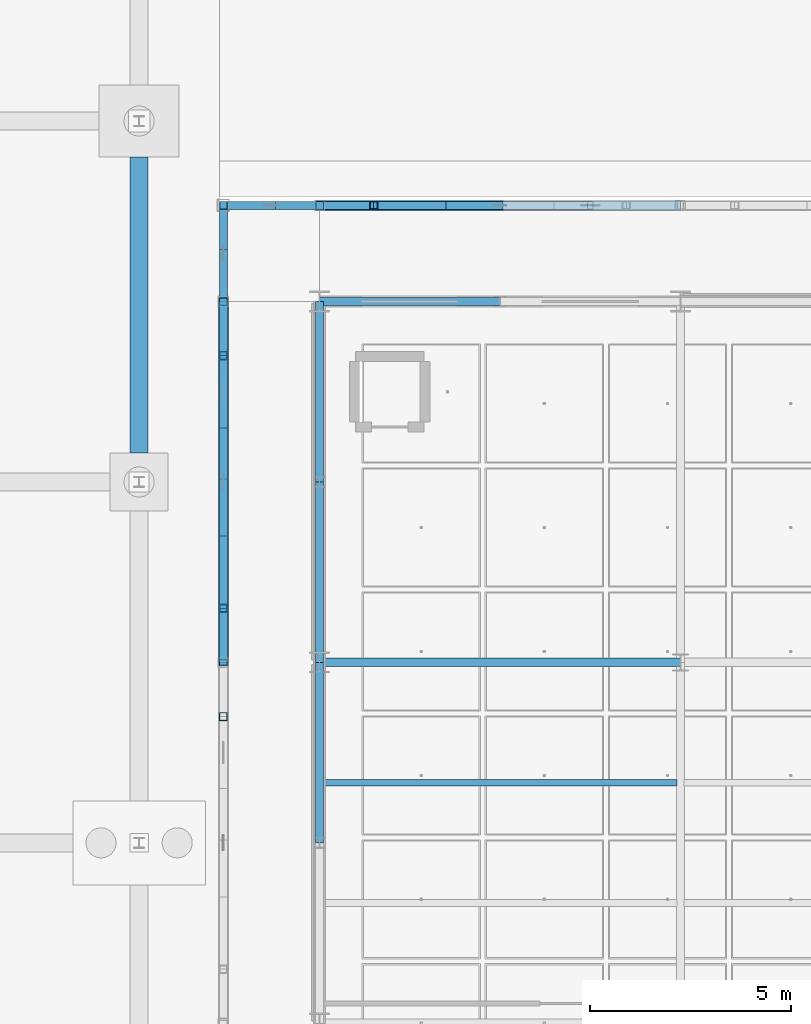
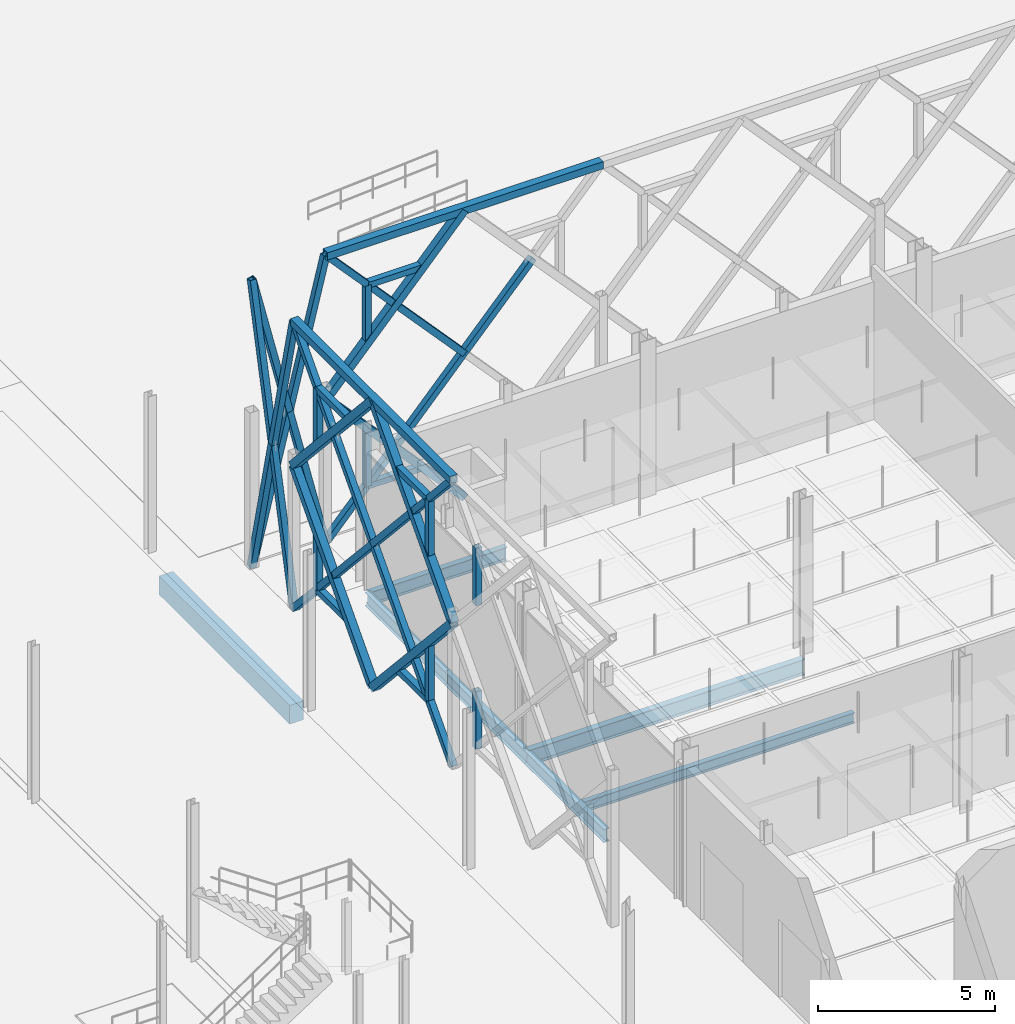
# One storey, part 33 of 180: 39 members, 7 beams.
"""IFC4 building model written with IfcOpenShell, lengths in metres."""

from ifc_helpers import new_model, si_unit, direction, frame, origin, origin_2d, place, context, subcontext, project, spatial, rectangle, hollow_rectangle, i_section, extrude, material, material_profile, profile_set, type_object, element, save


model = new_model("IFC4")

# Units and contexts
model_context = context("Model", 3, precision=1e-05, world=origin(), true_north=direction((0.0, 1.0)))
body_context = subcontext(model_context, "Body", "Model", "MODEL_VIEW")
ifc_project = project(units=[si_unit("LENGTHUNIT", "METRE"), si_unit("AREAUNIT", "SQUARE_METRE"), si_unit("VOLUMEUNIT", "CUBIC_METRE"), si_unit("PLANEANGLEUNIT", "RADIAN"), si_unit("MASSUNIT", "GRAM", prefix="KILO"), si_unit("THERMODYNAMICTEMPERATUREUNIT", "KELVIN"), si_unit("POWERUNIT", "WATT")], contexts=[model_context])

# Site, building, storey
site_placement = place(None, origin())
site = spatial("IfcSite", under=ifc_project, at=site_placement, CompositionType="ELEMENT")
building_placement = place(site_placement, origin())
building = spatial("IfcBuilding", under=site, at=building_placement, Name="Tallowbark Science Centre", CompositionType="ELEMENT")
storey_placement = place(building_placement, origin())
storey = spatial("IfcBuildingStorey", under=building, at=storey_placement, Name="L00", CompositionType="ELEMENT", Elevation=0.0)

# Beams
ifc_material_1 = material(Name="Concrete Grade N40 (40 MPa)", Category="concrete")
ifc_material_profile_1 = material_profile(ifc_material_1, rectangle(XDim=0.449951171875, YDim=0.64990234375, at=origin_2d()), Name="RC450x650")
ifc_profile_set_1 = profile_set([ifc_material_profile_1], Name="Concrete Grade N40 (40 MPa)")
beam_type_1 = type_object("IfcBeamType", Name="BM-GB2-N40", PredefinedType="BEAM", material=ifc_profile_set_1)
beam_1_placement = place(storey_placement, frame((54.0, 36.72509765625, -0.5849609375), z_axis=(0.0, 1.0, 0.0), x_axis=(-1.0, 0.0, 0.0)))
element("IfcBeam", 1, at=beam_1_placement, inside=storey, type_object=beam_type_1, Name="Ground Tie Beam GBT-Y-319", PredefinedType="BEAM", context=body_context, shape_type="SweptSolid", body=[
    extrude(rectangle(XDim=0.449951171875, YDim=0.64990234375, at=origin_2d()), origin(), (0.0, 0.0, 1.0), 7.375),
])
ifc_material_2 = material(Name="Structural Steel Grade 300PLUS (300 MPa)", Category="steel")
ifc_material_profile_2 = material_profile(ifc_material_2, i_section(OverallWidth=0.208984375, OverallDepth=0.532958984375, WebThickness=0.01025390625, FlangeThickness=0.015625, FilletRadius=0.013916015625, at=origin_2d()), Name="530UB92.4")
ifc_profile_set_2 = profile_set([ifc_material_profile_2], Name="Structural Steel Grade 300PLUS (300 MPa)")
beam_type_2 = type_object("IfcBeamType", Name="BM-UB530A", PredefinedType="BEAM", material=ifc_profile_set_2)
beam_2_placement = place(storey_placement, frame((58.5, 31.5, -0.506591796875), z_axis=(1.0, 0.0, 0.0), x_axis=(0.0, 1.0, 0.0)))
element("IfcBeam", 2, at=beam_2_placement, inside=storey, type_object=beam_type_2, Name="Primary Girder GRDX-L00-585-675-315", PredefinedType="BEAM", context=body_context, shape_type="SweptSolid", body=[
    extrude(i_section(OverallWidth=0.208984375, OverallDepth=0.532958984375, WebThickness=0.01025390625, FlangeThickness=0.015625, FilletRadius=0.013916015625, at=origin_2d()), origin(), (0.0, 0.0, 1.0), 9.0),
])
ifc_material_profile_3 = material_profile(ifc_material_2, i_section(OverallWidth=0.172119140625, OverallDepth=0.358642578125, WebThickness=0.008056640625, FlangeThickness=0.012939453125, FilletRadius=0.011474609375, at=origin_2d()), Name="360UB56.7")
ifc_profile_set_3 = profile_set([ifc_material_profile_3], Name="Structural Steel Grade 300PLUS (300 MPa)")
beam_type_3 = type_object("IfcBeamType", Name="JST-UB360", PredefinedType="JOIST", material=ifc_profile_set_3)
beam_3_placement = place(storey_placement, frame((58.5849609375, 28.5, -0.419189453125), z_axis=(1.0, 0.0, 0.0), x_axis=(0.0, 1.0, 0.0)))
element("IfcBeam", 3, at=beam_3_placement, inside=storey, type_object=beam_type_3, Name="Composite Floor Joist JSTX-L00-585-285", PredefinedType="JOIST", context=body_context, shape_type="SweptSolid", body=[
    extrude(i_section(OverallWidth=0.172119140625, OverallDepth=0.358642578125, WebThickness=0.008056640625, FlangeThickness=0.012939453125, FilletRadius=0.011474609375, at=origin_2d()), origin(), (0.0, 0.0, 1.0), 8.830078125),
])

# Members
ifc_material_3 = material(Name="White Architectural Painted Steel Grade C350L0 (350 MPa)", Category="steel")
ifc_material_profile_4 = material_profile(ifc_material_3, hollow_rectangle(XDim=0.25, YDim=0.25, WallThickness=0.009033203125, at=origin_2d()), Name="250x250x9.0SHS")
ifc_profile_set_4 = profile_set([ifc_material_profile_4], Name="White Architectural Painted Steel Grade C350L0 (350 MPa)")
member_type_1 = type_object("IfcMemberType", Name="SCR-CHD200", PredefinedType="CHORD", material=ifc_profile_set_4)
member_1_placement = place(storey_placement, frame((58.5, 42.89990234375, 9.89990234375), z_axis=(1.0, 0.0, 0.0), x_axis=(0.0, 1.0, 0.0)))
element("IfcMember", 4, at=member_1_placement, inside=storey, type_object=member_type_1, Name="Star Screen Frame Chord N-2", PredefinedType="CHORD", context=body_context, shape_type="SweptSolid", body=[
    extrude(hollow_rectangle(XDim=0.25, YDim=0.25, WallThickness=0.009033203125, at=origin_2d()), origin(), (0.0, 0.0, 1.0), 9.0),
])
for number, where, z_axis, x_axis, name in (
    (5, (63.0, 42.89990234375, 9.89990234375), (-0.672676426978, 0.0, -0.739936770669), (0.0, -1.0, 0.0), "Star Screen Octagram Diamond Chord N-2-3"),
    (6, (58.5, 42.89990234375, 4.949951171875), (0.672676426978, 0.0, -0.739936770669), (0.0, 1.0, 0.0), "Star Screen Octagram Diamond Chord N-2-4"),
):
    element("IfcMember", number, at=place(storey_placement, frame(where, z_axis=z_axis, x_axis=x_axis)), inside=storey, type_object=member_type_1, Name=name, PredefinedType="CHORD", context=body_context, shape_type="SweptSolid", body=[
        extrude(hollow_rectangle(XDim=0.25, YDim=0.25, WallThickness=0.009033203125, at=origin_2d()), origin(), (0.0, 0.0, 1.0), 6.689697265625),
    ])
member_2_placement = place(storey_placement, frame((56.10009765625, 31.5, 9.89990234375), z_axis=(0.0, 1.0, 0.0), x_axis=(-1.0, 0.0, 0.0)))
element("IfcMember", 7, at=member_2_placement, inside=storey, type_object=member_type_1, Name="Star Screen Frame Chord W-15", PredefinedType="CHORD", context=body_context, shape_type="SweptSolid", body=[
    extrude(hollow_rectangle(XDim=0.25, YDim=0.25, WallThickness=0.009033203125, at=origin_2d()), origin(), (0.0, 0.0, 1.0), 9.0),
])
for number, where, z_axis, x_axis, name in (
    (8, (56.10009765625, 36.0, 0.0), (0.0, 0.672676426978, 0.739936770669), (-1.0, 0.0, 0.0), "Star Screen Octagram Diamond Chord W-15-1"),
    (9, (56.10009765625, 40.5, 4.949951171875), (0.0, -0.672676426978, 0.739936770669), (1.0, 0.0, 0.0), "Star Screen Octagram Diamond Chord W-15-2"),
    (10, (56.10009765625, 36.0, 9.89990234375), (0.0, -0.672676426978, -0.739936770669), (1.0, 0.0, 0.0), "Star Screen Octagram Diamond Chord W-15-3"),
    (11, (56.10009765625, 31.5, 4.949951171875), (0.0, 0.672676426978, -0.739936770669), (-1.0, 0.0, 0.0), "Star Screen Octagram Diamond Chord W-15-4"),
):
    element("IfcMember", number, at=place(storey_placement, frame(where, z_axis=z_axis, x_axis=x_axis)), inside=storey, type_object=member_type_1, Name=name, PredefinedType="CHORD", context=body_context, shape_type="SweptSolid", body=[
        extrude(hollow_rectangle(XDim=0.25, YDim=0.25, WallThickness=0.009033203125, at=origin_2d()), origin(), (0.0, 0.0, 1.0), 6.689697265625),
    ])
ifc_material_profile_5 = material_profile(ifc_material_3, hollow_rectangle(XDim=0.199951171875, YDim=0.199951171875, WallThickness=0.009033203125, at=origin_2d()), Name="200x200x9.0SHS")
ifc_profile_set_5 = profile_set([ifc_material_profile_5], Name="White Architectural Painted Steel Grade C350L0 (350 MPa)")
member_type_2 = type_object("IfcMemberType", Name="SCR-STAR139", PredefinedType="BRACE", material=ifc_profile_set_5)
member_3_placement = place(storey_placement, frame((58.5, 42.89990234375, 0.0), z_axis=(0.672658262301, 0.0, 0.739953283768), x_axis=(0.0, 1.0, 0.0)))
element("IfcMember", 12, at=member_3_placement, inside=storey, type_object=member_type_2, Name="Star Screen Continuous X-Diagonal D1A N-2", PredefinedType="BRACE", context=body_context, shape_type="SweptSolid", body=[
    extrude(hollow_rectangle(XDim=0.199951171875, YDim=0.199951171875, WallThickness=0.009033203125, at=origin_2d()), origin(), (0.0, 0.0, 1.0), 3.344970703125),
])
member_4_placement = place(storey_placement, frame((60.75, 42.89990234375, 2.47509765625), z_axis=(0.672676426978, 0.0, 0.739936770669), x_axis=(0.0, 1.0, 0.0)))
element("IfcMember", 13, at=member_4_placement, inside=storey, type_object=member_type_2, Name="Star Screen Continuous X-Diagonal D1M N-2", PredefinedType="BRACE", context=body_context, shape_type="SweptSolid", body=[
    extrude(hollow_rectangle(XDim=0.199951171875, YDim=0.199951171875, WallThickness=0.009033203125, at=origin_2d()), origin(), (0.0, 0.0, 1.0), 6.689697265625),
])
member_5_placement = place(storey_placement, frame((58.5, 42.89990234375, 9.89990234375), z_axis=(0.672694592231, 0.0, -0.739920256233), x_axis=(0.0, 1.0, 0.0)))
element("IfcMember", 14, at=member_5_placement, inside=storey, type_object=member_type_2, Name="Star Screen Split X-Diagonal D2A N-2", PredefinedType="BRACE", context=body_context, shape_type="SweptSolid", body=[
    extrude(hollow_rectangle(XDim=0.199951171875, YDim=0.199951171875, WallThickness=0.009033203125, at=origin_2d()), origin(), (0.0, 0.0, 1.0), 3.3447265625),
])
for number, where, z_axis, x_axis, name in (
    (15, (60.75, 42.89990234375, 7.425048828125), (0.672658262301, 0.0, -0.739953283768), (0.0, 1.0, 0.0), "Star Screen Split X-Diagonal D2B N-2"),
    (16, (56.10009765625, 31.5, 0.0), (0.0, 0.672658262301, 0.739953283768), (-1.0, 0.0, 0.0), "Star Screen Continuous X-Diagonal D1A W-15"),
):
    element("IfcMember", number, at=place(storey_placement, frame(where, z_axis=z_axis, x_axis=x_axis)), inside=storey, type_object=member_type_2, Name=name, PredefinedType="BRACE", context=body_context, shape_type="SweptSolid", body=[
        extrude(hollow_rectangle(XDim=0.199951171875, YDim=0.199951171875, WallThickness=0.009033203125, at=origin_2d()), origin(), (0.0, 0.0, 1.0), 3.344970703125),
    ])
member_6_placement = place(storey_placement, frame((56.10009765625, 33.75, 2.47509765625), z_axis=(0.0, 0.672676426978, 0.739936770669), x_axis=(-1.0, 0.0, 0.0)))
element("IfcMember", 17, at=member_6_placement, inside=storey, type_object=member_type_2, Name="Star Screen Continuous X-Diagonal D1M W-15", PredefinedType="BRACE", context=body_context, shape_type="SweptSolid", body=[
    extrude(hollow_rectangle(XDim=0.199951171875, YDim=0.199951171875, WallThickness=0.009033203125, at=origin_2d()), origin(), (0.0, 0.0, 1.0), 6.689697265625),
])
for number, where, z_axis, x_axis, name in (
    (18, (56.10009765625, 38.25, 7.425048828125), (0.0, 0.672694592231, 0.739920256233), (-1.0, 0.0, 0.0), "Star Screen Continuous X-Diagonal D1B W-15"),
    (19, (56.10009765625, 31.5, 9.89990234375), (0.0, 0.672694592231, -0.739920256233), (-1.0, 0.0, 0.0), "Star Screen Split X-Diagonal D2A W-15"),
):
    element("IfcMember", number, at=place(storey_placement, frame(where, z_axis=z_axis, x_axis=x_axis)), inside=storey, type_object=member_type_2, Name=name, PredefinedType="BRACE", context=body_context, shape_type="SweptSolid", body=[
        extrude(hollow_rectangle(XDim=0.199951171875, YDim=0.199951171875, WallThickness=0.009033203125, at=origin_2d()), origin(), (0.0, 0.0, 1.0), 3.3447265625),
    ])
member_7_placement = place(storey_placement, frame((56.10009765625, 33.75, 7.425048828125), z_axis=(0.0, 0.672658262301, -0.739953283768), x_axis=(-1.0, 0.0, 0.0)))
element("IfcMember", 20, at=member_7_placement, inside=storey, type_object=member_type_2, Name="Star Screen Split X-Diagonal D2B W-15", PredefinedType="BRACE", context=body_context, shape_type="SweptSolid", body=[
    extrude(hollow_rectangle(XDim=0.199951171875, YDim=0.199951171875, WallThickness=0.009033203125, at=origin_2d()), origin(), (0.0, 0.0, 1.0), 3.344970703125),
])
member_8_placement = place(storey_placement, frame((56.10009765625, 36.0, 4.949951171875), z_axis=(0.0, 0.672694592231, -0.739920256233), x_axis=(-1.0, 0.0, 0.0)))
element("IfcMember", 21, at=member_8_placement, inside=storey, type_object=member_type_2, Name="Star Screen Split X-Diagonal D2C W-15", PredefinedType="BRACE", context=body_context, shape_type="SweptSolid", body=[
    extrude(hollow_rectangle(XDim=0.199951171875, YDim=0.199951171875, WallThickness=0.009033203125, at=origin_2d()), origin(), (0.0, 0.0, 1.0), 3.3447265625),
])
member_9_placement = place(storey_placement, frame((56.10009765625, 38.25, 2.47509765625), z_axis=(0.0, 0.672658262301, -0.739953283768), x_axis=(-1.0, 0.0, 0.0)))
element("IfcMember", 22, at=member_9_placement, inside=storey, type_object=member_type_2, Name="Star Screen Split X-Diagonal D2D W-15", PredefinedType="BRACE", context=body_context, shape_type="SweptSolid", body=[
    extrude(hollow_rectangle(XDim=0.199951171875, YDim=0.199951171875, WallThickness=0.009033203125, at=origin_2d()), origin(), (0.0, 0.0, 1.0), 3.344970703125),
])
member_10_placement = place(storey_placement, frame((56.10009765625, 42.89990234375, 0.0), z_axis=(0.235593166094, 0.0, 0.971851768579), x_axis=(0.0, 1.0, 0.0)))
element("IfcMember", 23, at=member_10_placement, inside=storey, type_object=member_type_2, Name="Star Screen Corner Continuous Diagonal NWX-L00", PredefinedType="BRACE", context=body_context, shape_type="SweptSolid", body=[
    extrude(hollow_rectangle(XDim=0.199951171875, YDim=0.199951171875, WallThickness=0.009033203125, at=origin_2d()), origin(), (0.0, 0.0, 1.0), 10.1865234375),
])
for number, where, z_axis, x_axis, name in (
    (24, (58.5, 42.89990234375, 0.0), (-0.235593166094, 0.0, 0.971851768579), (0.0, -1.0, 0.0), "Star Screen Corner Split Diagonal A NWX-L00"),
    (25, (57.300048828125, 42.89990234375, 4.949951171875), (-0.235593166094, 0.0, 0.971851768579), (0.0, -1.0, 0.0), "Star Screen Corner Split Diagonal B NWX-L00"),
):
    element("IfcMember", number, at=place(storey_placement, frame(where, z_axis=z_axis, x_axis=x_axis)), inside=storey, type_object=member_type_2, Name=name, PredefinedType="BRACE", context=body_context, shape_type="SweptSolid", body=[
        extrude(hollow_rectangle(XDim=0.199951171875, YDim=0.199951171875, WallThickness=0.009033203125, at=origin_2d()), origin(), (0.0, 0.0, 1.0), 5.09326171875),
    ])
member_11_placement = place(storey_placement, frame((56.10009765625, 40.5, 0.0), z_axis=(0.0, 0.235593166094, 0.971851768579), x_axis=(-1.0, 0.0, 0.0)))
element("IfcMember", 26, at=member_11_placement, inside=storey, type_object=member_type_2, Name="Star Screen Corner Continuous Diagonal NWY-L00", PredefinedType="BRACE", context=body_context, shape_type="SweptSolid", body=[
    extrude(hollow_rectangle(XDim=0.199951171875, YDim=0.199951171875, WallThickness=0.009033203125, at=origin_2d()), origin(), (0.0, 0.0, 1.0), 10.1865234375),
])
for number, where, z_axis, x_axis, name in (
    (27, (56.10009765625, 42.89990234375, 0.0), (0.0, -0.235593166094, 0.971851768579), (1.0, 0.0, 0.0), "Star Screen Corner Split Diagonal A NWY-L00"),
    (28, (56.10009765625, 41.699951171875, 4.949951171875), (0.0, -0.235593166094, 0.971851768579), (1.0, 0.0, 0.0), "Star Screen Corner Split Diagonal B NWY-L00"),
):
    element("IfcMember", number, at=place(storey_placement, frame(where, z_axis=z_axis, x_axis=x_axis)), inside=storey, type_object=member_type_2, Name=name, PredefinedType="BRACE", context=body_context, shape_type="SweptSolid", body=[
        extrude(hollow_rectangle(XDim=0.199951171875, YDim=0.199951171875, WallThickness=0.009033203125, at=origin_2d()), origin(), (0.0, 0.0, 1.0), 5.09326171875),
    ])
ifc_material_profile_6 = material_profile(ifc_material_3, hollow_rectangle(XDim=0.199951171875, YDim=0.199951171875, WallThickness=0.009033203125, at=origin_2d()), Name="200x200x9.0SHS")
ifc_profile_set_6 = profile_set([ifc_material_profile_6], Name="White Architectural Painted Steel Grade C350L0 (350 MPa)")
member_type_3 = type_object("IfcMemberType", Name="SCR-SUB150", PredefinedType="BRACE", material=ifc_profile_set_6)
member_12_placement = place(storey_placement, frame((59.85009765625, 42.89990234375, 1.485107421875), z_axis=(1.0, 0.0, 0.0), x_axis=(0.0, 1.0, 0.0)))
element("IfcMember", 29, at=member_12_placement, inside=storey, type_object=member_type_3, Name="Star Screen Octagram Point Ray N-2-1", PredefinedType="BRACE", context=body_context, shape_type="SweptSolid", body=[
    extrude(hollow_rectangle(XDim=0.199951171875, YDim=0.199951171875, WallThickness=0.009033203125, at=origin_2d()), origin(), (0.0, 0.0, 1.0), 1.7998046875),
])
member_13_placement = place(storey_placement, frame((59.85009765625, 42.89990234375, 1.485107421875), z_axis=(0.0, 0.0, 1.0), x_axis=(1.0, 0.0, 0.0)))
element("IfcMember", 30, at=member_13_placement, inside=storey, type_object=member_type_3, Name="Star Screen Octagram Point Ray N-2-2", PredefinedType="BRACE", context=body_context, shape_type="SweptSolid", body=[
    extrude(hollow_rectangle(XDim=0.199951171875, YDim=0.199951171875, WallThickness=0.009033203125, at=origin_2d()), origin(), (0.0, 0.0, 1.0), 1.97998046875),
])
member_14_placement = place(storey_placement, frame((59.85009765625, 42.89990234375, 8.4150390625), z_axis=(1.0, 0.0, 0.0), x_axis=(0.0, 1.0, 0.0)))
element("IfcMember", 31, at=member_14_placement, inside=storey, type_object=member_type_3, Name="Star Screen Octagram Point Ray N-2-7", PredefinedType="BRACE", context=body_context, shape_type="SweptSolid", body=[
    extrude(hollow_rectangle(XDim=0.199951171875, YDim=0.199951171875, WallThickness=0.009033203125, at=origin_2d()), origin(), (0.0, 0.0, 1.0), 1.7998046875),
])
for number, where, z_axis, x_axis, name in (
    (32, (59.85009765625, 42.89990234375, 8.4150390625), (0.0, 0.0, -1.0), (1.0, 0.0, 0.0), "Star Screen Octagram Point Ray N-2-8"),
    (33, (56.10009765625, 30.14990234375, 1.485107421875), (0.0, 0.0, 1.0), (1.0, 0.0, 0.0), "Star Screen Octagram Point Ray W-13-4"),
    (34, (56.10009765625, 30.14990234375, 8.4150390625), (0.0, 0.0, -1.0), (1.0, 0.0, 0.0), "Star Screen Octagram Point Ray W-13-6"),
):
    element("IfcMember", number, at=place(storey_placement, frame(where, z_axis=z_axis, x_axis=x_axis)), inside=storey, type_object=member_type_3, Name=name, PredefinedType="BRACE", context=body_context, shape_type="SweptSolid", body=[
        extrude(hollow_rectangle(XDim=0.199951171875, YDim=0.199951171875, WallThickness=0.009033203125, at=origin_2d()), origin(), (0.0, 0.0, 1.0), 1.97998046875),
    ])
member_15_placement = place(storey_placement, frame((56.10009765625, 32.85009765625, 1.485107421875), z_axis=(0.0, 1.0, 0.0), x_axis=(-1.0, 0.0, 0.0)))
element("IfcMember", 35, at=member_15_placement, inside=storey, type_object=member_type_3, Name="Star Screen Octagram Point Ray W-15-1", PredefinedType="BRACE", context=body_context, shape_type="SweptSolid", body=[
    extrude(hollow_rectangle(XDim=0.199951171875, YDim=0.199951171875, WallThickness=0.009033203125, at=origin_2d()), origin(), (0.0, 0.0, 1.0), 1.7998046875),
])
member_16_placement = place(storey_placement, frame((56.10009765625, 32.85009765625, 1.485107421875), z_axis=(0.0, 0.0, 1.0), x_axis=(1.0, 0.0, 0.0)))
element("IfcMember", 36, at=member_16_placement, inside=storey, type_object=member_type_3, Name="Star Screen Octagram Point Ray W-15-2", PredefinedType="BRACE", context=body_context, shape_type="SweptSolid", body=[
    extrude(hollow_rectangle(XDim=0.199951171875, YDim=0.199951171875, WallThickness=0.009033203125, at=origin_2d()), origin(), (0.0, 0.0, 1.0), 1.97998046875),
])
member_17_placement = place(storey_placement, frame((56.10009765625, 39.14990234375, 1.485107421875), z_axis=(0.0, -1.0, 0.0), x_axis=(1.0, 0.0, 0.0)))
element("IfcMember", 37, at=member_17_placement, inside=storey, type_object=member_type_3, Name="Star Screen Octagram Point Ray W-15-3", PredefinedType="BRACE", context=body_context, shape_type="SweptSolid", body=[
    extrude(hollow_rectangle(XDim=0.199951171875, YDim=0.199951171875, WallThickness=0.009033203125, at=origin_2d()), origin(), (0.0, 0.0, 1.0), 1.7998046875),
])
member_18_placement = place(storey_placement, frame((56.10009765625, 39.14990234375, 1.485107421875), z_axis=(0.0, 0.0, 1.0), x_axis=(1.0, 0.0, 0.0)))
element("IfcMember", 38, at=member_18_placement, inside=storey, type_object=member_type_3, Name="Star Screen Octagram Point Ray W-15-4", PredefinedType="BRACE", context=body_context, shape_type="SweptSolid", body=[
    extrude(hollow_rectangle(XDim=0.199951171875, YDim=0.199951171875, WallThickness=0.009033203125, at=origin_2d()), origin(), (0.0, 0.0, 1.0), 1.97998046875),
])
member_19_placement = place(storey_placement, frame((56.10009765625, 39.14990234375, 8.4150390625), z_axis=(0.0, -1.0, 0.0), x_axis=(1.0, 0.0, 0.0)))
element("IfcMember", 39, at=member_19_placement, inside=storey, type_object=member_type_3, Name="Star Screen Octagram Point Ray W-15-5", PredefinedType="BRACE", context=body_context, shape_type="SweptSolid", body=[
    extrude(hollow_rectangle(XDim=0.199951171875, YDim=0.199951171875, WallThickness=0.009033203125, at=origin_2d()), origin(), (0.0, 0.0, 1.0), 1.7998046875),
])
member_20_placement = place(storey_placement, frame((56.10009765625, 39.14990234375, 8.4150390625), z_axis=(0.0, 0.0, -1.0), x_axis=(1.0, 0.0, 0.0)))
element("IfcMember", 40, at=member_20_placement, inside=storey, type_object=member_type_3, Name="Star Screen Octagram Point Ray W-15-6", PredefinedType="BRACE", context=body_context, shape_type="SweptSolid", body=[
    extrude(hollow_rectangle(XDim=0.199951171875, YDim=0.199951171875, WallThickness=0.009033203125, at=origin_2d()), origin(), (0.0, 0.0, 1.0), 1.97998046875),
])
member_21_placement = place(storey_placement, frame((56.10009765625, 32.85009765625, 8.4150390625), z_axis=(0.0, 1.0, 0.0), x_axis=(-1.0, 0.0, 0.0)))
element("IfcMember", 41, at=member_21_placement, inside=storey, type_object=member_type_3, Name="Star Screen Octagram Point Ray W-15-7", PredefinedType="BRACE", context=body_context, shape_type="SweptSolid", body=[
    extrude(hollow_rectangle(XDim=0.199951171875, YDim=0.199951171875, WallThickness=0.009033203125, at=origin_2d()), origin(), (0.0, 0.0, 1.0), 1.7998046875),
])
member_22_placement = place(storey_placement, frame((56.10009765625, 32.85009765625, 8.4150390625), z_axis=(0.0, 0.0, -1.0), x_axis=(1.0, 0.0, 0.0)))
element("IfcMember", 42, at=member_22_placement, inside=storey, type_object=member_type_3, Name="Star Screen Octagram Point Ray W-15-8", PredefinedType="BRACE", context=body_context, shape_type="SweptSolid", body=[
    extrude(hollow_rectangle(XDim=0.199951171875, YDim=0.199951171875, WallThickness=0.009033203125, at=origin_2d()), origin(), (0.0, 0.0, 1.0), 1.97998046875),
])

# Beams
ifc_material_profile_7 = material_profile(ifc_material_2, i_section(OverallWidth=0.18994140625, OverallDepth=0.453857421875, WebThickness=0.008544921875, FlangeThickness=0.0126953125, FilletRadius=0.011474609375, at=origin_2d()), Name="460UB67.1")
ifc_profile_set_7 = profile_set([ifc_material_profile_7], Name="Structural Steel Grade 300PLUS (300 MPa)")
beam_type_4 = type_object("IfcBeamType", Name="SPN-UB460", PredefinedType="SPANDREL", material=ifc_profile_set_7)
for number, where, z_axis, x_axis, name in (
    (43, (58.5, 40.5, -0.491943359375), (1.0, 0.0, 0.0), (0.0, 1.0, 0.0), "Primary Girder GRDX-L00-585-630-405"),
    (44, (58.5, 27.0, -0.491943359375), (0.0, 1.0, 0.0), (-1.0, 0.0, 0.0), "Primary Girder GRDY-L00-585-270-315"),
    (45, (58.5, 31.5, -0.491943359375), (0.0, 1.0, 0.0), (-1.0, 0.0, 0.0), "Primary Girder GRDY-L00-585-315-360"),
    (46, (58.5, 36.0, -0.491943359375), (0.0, 1.0, 0.0), (-1.0, 0.0, 0.0), "Primary Girder GRDY-L00-585-360-405"),
):
    element("IfcBeam", number, at=place(storey_placement, frame(where, z_axis=z_axis, x_axis=x_axis)), inside=storey, type_object=beam_type_4, Name=name, PredefinedType="SPANDREL", context=body_context, shape_type="SweptSolid", body=[
        extrude(i_section(OverallWidth=0.18994140625, OverallDepth=0.453857421875, WebThickness=0.008544921875, FlangeThickness=0.0126953125, FilletRadius=0.011474609375, at=origin_2d()), origin(), (0.0, 0.0, 1.0), 4.5),
    ])

save(model, "model.ifc")
